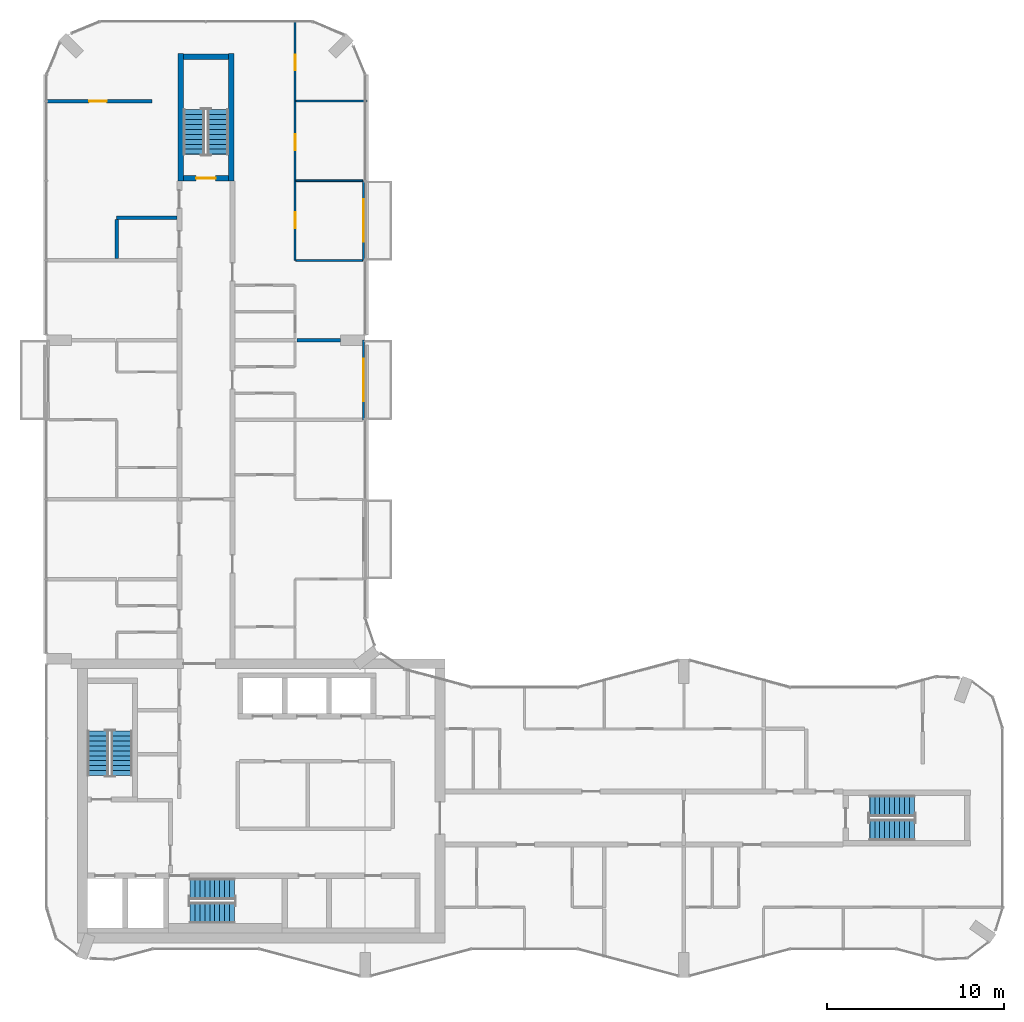
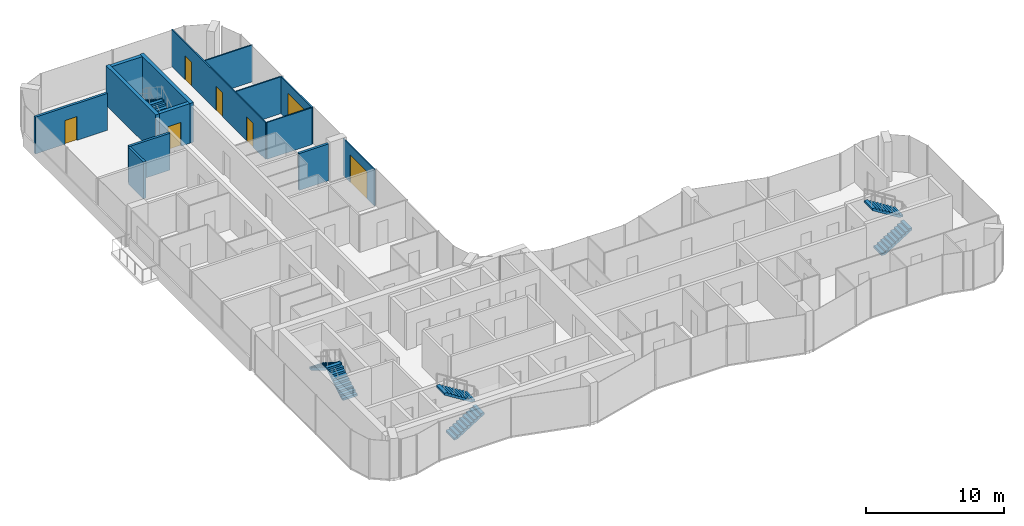
# One storey, part 13 of 15: 14 walls, 8 stair flights, 7 doors, 7 openings, 4 elements without a shape of their own.
"""IFC4 building model written with IfcOpenShell, lengths in metres."""

from ifc_helpers import new_model, si_unit, direction, frame, frame_2d, origin, place, context, subcontext, project, spatial, polyline, rectangle, outline, extrude, material, layer, layer_set, type_object, element, fill, aggregate, save


model = new_model("IFC4")

# Units and contexts
model_context = context("Model", 3, precision=1e-05, world=origin(), true_north=direction((0.0, 1.0)))
body_context = subcontext(model_context, "Body", "Model", "MODEL_VIEW")
ifc_project = project(units=[si_unit("LENGTHUNIT", "METRE"), si_unit("AREAUNIT", "SQUARE_METRE"), si_unit("VOLUMEUNIT", "CUBIC_METRE"), si_unit("PLANEANGLEUNIT", "RADIAN"), si_unit("MASSUNIT", "GRAM", prefix="KILO")], contexts=[model_context])

# Site, building, storey
site_placement = place(None, origin())
site = spatial("IfcSite", under=ifc_project, at=site_placement, CompositionType="ELEMENT")
building_placement = place(site_placement, origin())
building = spatial("IfcBuilding", under=site, at=building_placement, Name="Plateau Cross Towers", CompositionType="ELEMENT")
storey_placement = place(building_placement, frame((0.0, 0.0, 201.39990234375)))
storey = spatial("IfcBuildingStorey", under=building, at=storey_placement, Name="L52", CompositionType="ELEMENT", Elevation=201.39990234375)

# Wall, opening, door
ifc_material_1 = material(Name="Aluminium framed glazing", Category="aluminium")
ifc_layer_1 = layer(ifc_material_1, 0.10009765625)
ifc_layer_set_1 = layer_set([ifc_layer_1], Name="Aluminium framed glazing")
wall_type_1 = type_object("IfcWallType", Name="Balcony screen wall 100", PredefinedType="STANDARD", material=ifc_layer_set_1)
wall_1_placement = place(storey_placement, frame((17.89990234375, 36.0, 0.0), z_axis=(0.0, 0.0, 1.0), x_axis=(0.0, -1.0, 0.0)))
wall_1 = element("IfcWall", 1, at=wall_1_placement, inside=storey, type_object=wall_type_1, Name="Balcony screen wall A-BAL-L52-03", PredefinedType="STANDARD", context=body_context, shape_type="SweptSolid", body=[
    extrude(rectangle(XDim=4.5, YDim=0.10009765625, at=frame_2d((2.25, 0.0))), origin(), (0.0, 0.0, 1.0), 3.25),
])
opening_1_placement = place(wall_1_placement, frame((1.050048828125, 0.0, 0.0)))
opening_1 = element("IfcOpeningElement", 2, at=opening_1_placement, cuts=wall_1, Name="Opening D-B24", PredefinedType="OPENING", context=body_context, shape_type="SweptSolid", body=[
    extrude(rectangle(XDim=2.39990234375, YDim=2.39990234375, at=frame_2d((1.199951171875, 1.199951171875))), frame((0.0, 0.06005859375, 0.0), z_axis=(0.0, -1.0, 0.0), x_axis=(1.0, 0.0, 0.0)), (0.0, 0.0, 1.0), 0.1201171875),
])
ifc_material_2 = material(Name="Aluminium frame, double glazing", Category="aluminium")
door_type_1 = type_object("IfcDoorType", Name="Balcony sliding door 2400", OperationType="NOTDEFINED", PredefinedType="DOOR", material=ifc_material_2)
door_1_placement = place(opening_1_placement, origin())
door_1 = element("IfcDoor", 3, at=door_1_placement, inside=storey, type_object=door_type_1, Name="Balcony door A-BAL-L52-03", OperationType="SINGLE_SWING_LEFT", OverallHeight=2.39990234375, OverallWidth=2.39990234375, PredefinedType="DOOR", context=body_context, shape_type="SweptSolid", body=[
    extrude(rectangle(XDim=2.39990234375, YDim=2.39990234375, at=frame_2d((1.199951171875, 1.199951171875))), frame((0.0, 0.02490234375, 0.0), z_axis=(0.0, -1.0, 0.0), x_axis=(1.0, 0.0, 0.0)), (0.0, 0.0, 1.0), 0.050048828125),
])
fill(opening_1, door_1)

wall_2_placement = place(storey_placement, frame((17.89990234375, 45.0, 0.0), z_axis=(0.0, 0.0, 1.0), x_axis=(0.0, -1.0, 0.0)))
wall_2 = element("IfcWall", 4, at=wall_2_placement, inside=storey, type_object=wall_type_1, Name="Balcony screen wall A-BAL-L52-04", PredefinedType="STANDARD", context=body_context, shape_type="SweptSolid", body=[
    extrude(rectangle(XDim=4.5, YDim=0.10009765625, at=frame_2d((2.25, 0.0))), origin(), (0.0, 0.0, 1.0), 3.25),
])
opening_2_placement = place(wall_2_placement, frame((1.050048828125, 0.0, 0.0)))
opening_2 = element("IfcOpeningElement", 5, at=opening_2_placement, cuts=wall_2, Name="Opening D-B24", PredefinedType="OPENING", context=body_context, shape_type="SweptSolid", body=[
    extrude(rectangle(XDim=2.39990234375, YDim=2.39990234375, at=frame_2d((1.199951171875, 1.199951171875))), frame((0.0, 0.06005859375, 0.0), z_axis=(0.0, -1.0, 0.0), x_axis=(1.0, 0.0, 0.0)), (0.0, 0.0, 1.0), 0.1201171875),
])
door_2_placement = place(opening_2_placement, origin())
door_2 = element("IfcDoor", 6, at=door_2_placement, inside=storey, type_object=door_type_1, Name="Balcony door A-BAL-L52-04", OperationType="SINGLE_SWING_LEFT", OverallHeight=2.39990234375, OverallWidth=2.39990234375, PredefinedType="DOOR", context=body_context, shape_type="SweptSolid", body=[
    extrude(rectangle(XDim=2.39990234375, YDim=2.39990234375, at=frame_2d((1.199951171875, 1.199951171875))), frame((0.0, 0.02490234375, 0.0), z_axis=(0.0, -1.0, 0.0), x_axis=(1.0, 0.0, 0.0)), (0.0, 0.0, 1.0), 0.050048828125),
])
fill(opening_2, door_2)

# Walls
ifc_material_3 = material(Name="Gypsum board on steel studs", Category="steel")
ifc_layer_2 = layer(ifc_material_3, 0.10009765625)
ifc_layer_set_2 = layer_set([ifc_layer_2], Name="Gypsum board on steel studs")
wall_type_2 = type_object("IfcWallType", Name="Flat partition 100", PredefinedType="PARTITIONING", material=ifc_layer_set_2)
for number, where, z_axis, x_axis, name in (
    (7, (14.08740234375, 40.5, 0.0), (0.0, 0.0, 1.0), (1.0, 0.0, 0.0), "Partition wall"),
    (8, (17.85009765625, 45.0, 0.0), (0.0, 0.0, 1.0), (-1.0, 0.0, 0.0), "Partition wall"),
):
    element("IfcWall", number, at=place(storey_placement, frame(where, z_axis=z_axis, x_axis=x_axis)), inside=storey, type_object=wall_type_2, Name=name, PredefinedType="PARTITIONING", context=body_context, shape_type="SweptSolid", body=[
        extrude(rectangle(XDim=3.7626953125, YDim=0.10009765625, at=frame_2d((1.88134765625, 0.0))), origin(), (0.0, 0.0, 1.0), 3.25),
    ])
wall_3_placement = place(storey_placement, frame((18.080078125, 49.5, 0.0), z_axis=(0.0, 0.0, 1.0), x_axis=(-1.0, 0.0, 0.0)))
element("IfcWall", 9, at=wall_3_placement, inside=storey, type_object=wall_type_2, Name="Partition wall", PredefinedType="PARTITIONING", context=body_context, shape_type="SweptSolid", body=[
    extrude(rectangle(XDim=3.99267578125, YDim=0.10009765625, at=frame_2d((1.996337890625, 0.0))), origin(), (0.0, 0.0, 1.0), 3.25),
])

# Wall, openings, doors
wall_4_placement = place(storey_placement, frame((14.03759765625, 54.080078125, 0.0), z_axis=(0.0, 0.0, 1.0), x_axis=(0.0, -1.0, 0.0)))
wall_4 = element("IfcWall", 10, at=wall_4_placement, inside=storey, type_object=wall_type_2, Name="Partition wall", PredefinedType="PARTITIONING", context=body_context, shape_type="SweptSolid", body=[
    extrude(rectangle(XDim=13.580078125, YDim=0.10009765625, at=frame_2d((6.7900390625, 0.0))), origin(), (0.0, 0.0, 1.0), 3.25),
])
opening_3_placement = place(wall_4_placement, frame((10.85009765625, 0.0, 0.0)))
opening_3 = element("IfcOpeningElement", 11, at=opening_3_placement, cuts=wall_4, Name="Opening 52-46", PredefinedType="OPENING", context=body_context, shape_type="SweptSolid", body=[
    extrude(rectangle(XDim=0.89990234375, YDim=2.10009765625, at=frame_2d((0.449951171875, 1.050048828125))), frame((0.0, 0.06005859375, 0.0), z_axis=(0.0, -1.0, 0.0), x_axis=(1.0, 0.0, 0.0)), (0.0, 0.0, 1.0), 0.1201171875),
])
opening_4_placement = place(wall_4_placement, frame((6.449951171875, 0.0, 0.0)))
opening_4 = element("IfcOpeningElement", 12, at=opening_4_placement, cuts=wall_4, Name="Opening 52-47", PredefinedType="OPENING", context=body_context, shape_type="SweptSolid", body=[
    extrude(rectangle(XDim=0.89990234375, YDim=2.10009765625, at=frame_2d((0.449951171875, 1.050048828125))), frame((0.0, 0.06005859375, 0.0), z_axis=(0.0, -1.0, 0.0), x_axis=(1.0, 0.0, 0.0)), (0.0, 0.0, 1.0), 0.1201171875),
])
opening_5_placement = place(wall_4_placement, frame((1.949951171875, 0.0, 0.0)))
opening_5 = element("IfcOpeningElement", 13, at=opening_5_placement, cuts=wall_4, Name="Opening 52-48", PredefinedType="OPENING", context=body_context, shape_type="SweptSolid", body=[
    extrude(rectangle(XDim=0.89990234375, YDim=2.10009765625, at=frame_2d((0.449951171875, 1.050048828125))), frame((0.0, 0.06005859375, 0.0), z_axis=(0.0, -1.0, 0.0), x_axis=(1.0, 0.0, 0.0)), (0.0, 0.0, 1.0), 0.1201171875),
])
ifc_material_4 = material(Name="Timber leaf", Category="wood")
door_type_2 = type_object("IfcDoorType", Name="Flat room door 900", OperationType="NOTDEFINED", PredefinedType="DOOR", material=ifc_material_4)
door_3_placement = place(opening_3_placement, origin())
door_3 = element("IfcDoor", 14, at=door_3_placement, inside=storey, type_object=door_type_2, Name="Door 52-46", OperationType="SINGLE_SWING_RIGHT", OverallHeight=2.10009765625, OverallWidth=0.89990234375, PredefinedType="DOOR", context=body_context, shape_type="SweptSolid", body=[
    extrude(rectangle(XDim=0.89990234375, YDim=2.10009765625, at=frame_2d((0.449951171875, 1.050048828125))), frame((0.0, 0.02490234375, 0.0), z_axis=(0.0, -1.0, 0.0), x_axis=(1.0, 0.0, 0.0)), (0.0, 0.0, 1.0), 0.050048828125),
])
fill(opening_3, door_3)
door_4_placement = place(opening_4_placement, origin())
door_4 = element("IfcDoor", 15, at=door_4_placement, inside=storey, type_object=door_type_2, Name="Door 52-47", OperationType="SINGLE_SWING_RIGHT", OverallHeight=2.10009765625, OverallWidth=0.89990234375, PredefinedType="DOOR", context=body_context, shape_type="SweptSolid", body=[
    extrude(rectangle(XDim=0.89990234375, YDim=2.10009765625, at=frame_2d((0.449951171875, 1.050048828125))), frame((0.0, 0.02490234375, 0.0), z_axis=(0.0, -1.0, 0.0), x_axis=(1.0, 0.0, 0.0)), (0.0, 0.0, 1.0), 0.050048828125),
])
fill(opening_4, door_4)
door_5_placement = place(opening_5_placement, origin())
door_5 = element("IfcDoor", 16, at=door_5_placement, inside=storey, type_object=door_type_2, Name="Door 52-48", OperationType="SINGLE_SWING_LEFT", OverallHeight=2.10009765625, OverallWidth=0.89990234375, PredefinedType="DOOR", context=body_context, shape_type="SweptSolid", body=[
    extrude(rectangle(XDim=0.89990234375, YDim=2.10009765625, at=frame_2d((0.449951171875, 1.050048828125))), frame((0.0, 0.02490234375, 0.0), z_axis=(0.0, -1.0, 0.0), x_axis=(1.0, 0.0, 0.0)), (0.0, 0.0, 1.0), 0.050048828125),
])
fill(opening_5, door_5)

# Walls
ifc_material_5 = material(Name="Gypsum board on steel studs, two layers each side", Category="steel")
ifc_layer_3 = layer(ifc_material_5, 0.199951171875)
ifc_layer_set_3 = layer_set([ifc_layer_3], Name="Gypsum board on steel studs, two layers each side")
wall_type_3 = type_object("IfcWallType", Name="Flat party wall 200", PredefinedType="PARTITIONING", material=ifc_layer_set_3)
wall_5_placement = place(storey_placement, frame((14.137451171875, 36.0, 0.0), z_axis=(0.0, 0.0, 1.0), x_axis=(1.0, 0.0, 0.0)))
element("IfcWall", 17, at=wall_5_placement, inside=storey, type_object=wall_type_3, Name="Party wall", PredefinedType="PARTITIONING", context=body_context, shape_type="SweptSolid", body=[
    extrude(rectangle(XDim=2.462646484375, YDim=0.199951171875, at=frame_2d((1.2314453125, 0.0))), origin(), (0.0, 0.0, 1.0), 3.25),
])
wall_6_placement = place(storey_placement, frame((7.362548828125, 42.89990234375, 0.0), z_axis=(0.0, 0.0, 1.0), x_axis=(-1.0, 0.0, 0.0)))
element("IfcWall", 18, at=wall_6_placement, inside=storey, type_object=wall_type_3, Name="Party wall", PredefinedType="PARTITIONING", context=body_context, shape_type="SweptSolid", body=[
    extrude(rectangle(XDim=3.400146484375, YDim=0.199951171875, at=frame_2d((1.7001953125, 0.0))), origin(), (0.0, 0.0, 1.0), 3.25),
])

# Wall, opening, door
wall_7_placement = place(storey_placement, frame((5.949951171875, 49.5, 0.0), z_axis=(0.0, 0.0, 1.0), x_axis=(-1.0, 0.0, 0.0)))
wall_7 = element("IfcWall", 19, at=wall_7_placement, inside=storey, type_object=wall_type_3, Name="Party wall", PredefinedType="PARTITIONING", context=body_context, shape_type="SweptSolid", body=[
    extrude(rectangle(XDim=6.030029296875, YDim=0.199951171875, at=frame_2d((3.01513671875, 0.0))), origin(), (0.0, 0.0, 1.0), 3.25),
])
opening_6_placement = place(wall_7_placement, frame((2.550048828125, 0.0, 0.0)))
opening_6 = element("IfcOpeningElement", 20, at=opening_6_placement, cuts=wall_7, Name="Opening 52-19", PredefinedType="OPENING", context=body_context, shape_type="SweptSolid", body=[
    extrude(rectangle(XDim=1.0, YDim=2.10009765625, at=frame_2d((0.5, 1.050048828125))), frame((0.0, 0.10986328125, 0.0), z_axis=(0.0, -1.0, 0.0), x_axis=(1.0, 0.0, 0.0)), (0.0, 0.0, 1.0), 0.219970703125),
])
ifc_material_6 = material(Name="Timber, fire-resisting leaf", Category="wood")
door_type_3 = type_object("IfcDoorType", Name="Flat entrance door 1000", OperationType="NOTDEFINED", PredefinedType="DOOR", material=ifc_material_6)
door_6_placement = place(opening_6_placement, origin())
door_6 = element("IfcDoor", 21, at=door_6_placement, inside=storey, type_object=door_type_3, Name="Door 52-19", OperationType="SINGLE_SWING_RIGHT", OverallHeight=2.10009765625, OverallWidth=1.0, PredefinedType="DOOR", context=body_context, shape_type="SweptSolid", body=[
    extrude(rectangle(XDim=1.0, YDim=2.10009765625, at=frame_2d((0.5, 1.050048828125))), frame((0.0, 0.02490234375, 0.0), z_axis=(0.0, -1.0, 0.0), x_axis=(1.0, 0.0, 0.0)), (0.0, 0.0, 1.0), 0.050048828125),
])
fill(opening_6, door_6)

# Wall
wall_8_placement = place(storey_placement, frame((3.96240234375, 42.800048828125, 0.0), z_axis=(0.0, 0.0, 1.0), x_axis=(0.0, -1.0, 0.0)))
element("IfcWall", 22, at=wall_8_placement, inside=storey, type_object=wall_type_3, Name="Party wall", PredefinedType="PARTITIONING", context=body_context, shape_type="SweptSolid", body=[
    extrude(rectangle(XDim=2.199951171875, YDim=0.199951171875, at=frame_2d((1.10009765625, 0.0))), origin(), (0.0, 0.0, 1.0), 3.25),
])

# Wall, opening, door
ifc_material_7 = material(Name="Concrete C60/75", Category="concrete")
ifc_layer_4 = layer(ifc_material_7, 0.300048828125)
ifc_layer_set_4 = layer_set([ifc_layer_4], Name="Concrete C60/75")
wall_type_4 = type_object("IfcWallType", Name="Stair tower wall 300", PredefinedType="SHEAR", material=ifc_layer_set_4)
wall_9_placement = place(storey_placement, frame((7.72509765625, 45.14990234375, 0.0), z_axis=(0.0, 0.0, 1.0), x_axis=(1.0, 0.0, 0.0)))
wall_9 = element("IfcWall", 23, at=wall_9_placement, inside=storey, type_object=wall_type_4, Name="A-end-N-S@L52", PredefinedType="SHEAR", context=body_context, shape_type="SweptSolid", body=[
    extrude(rectangle(XDim=2.5498046875, YDim=0.300048828125, at=frame_2d((1.27490234375, 0.0))), origin(), (0.0, 0.0, 1.0), 3.5),
])
opening_7_placement = place(wall_9_placement, frame((0.72509765625, 0.0, 0.0)))
opening_7 = element("IfcOpeningElement", 24, at=opening_7_placement, cuts=wall_9, Name="Opening SD", PredefinedType="OPENING", context=body_context, shape_type="SweptSolid", body=[
    extrude(rectangle(XDim=1.10009765625, YDim=2.10009765625, at=frame_2d((0.550048828125, 1.050048828125))), frame((0.0, 0.159912109375, 0.0), z_axis=(0.0, -1.0, 0.0), x_axis=(1.0, 0.0, 0.0)), (0.0, 0.0, 1.0), 0.320068359375),
])
ifc_material_8 = material(Name="Steel, fire-resisting leaf", Category="steel")
door_type_4 = type_object("IfcDoorType", Name="Stair door 1100", OperationType="NOTDEFINED", PredefinedType="DOOR", material=ifc_material_8)
door_7_placement = place(opening_7_placement, origin())
door_7 = element("IfcDoor", 25, at=door_7_placement, inside=storey, type_object=door_type_4, Name="Stair door SD", OperationType="SINGLE_SWING_LEFT", OverallHeight=2.10009765625, OverallWidth=1.10009765625, PredefinedType="DOOR", context=body_context, shape_type="SweptSolid", body=[
    extrude(rectangle(XDim=1.10009765625, YDim=2.10009765625, at=frame_2d((0.550048828125, 1.050048828125))), frame((0.0, 0.02490234375, 0.0), z_axis=(0.0, -1.0, 0.0), x_axis=(1.0, 0.0, 0.0)), (0.0, 0.0, 1.0), 0.050048828125),
])
fill(opening_7, door_7)

# Walls
wall_10_placement = place(storey_placement, frame((7.72509765625, 52.0, 0.0), z_axis=(0.0, 0.0, 1.0), x_axis=(1.0, 0.0, 0.0)))
element("IfcWall", 26, at=wall_10_placement, inside=storey, type_object=wall_type_4, Name="A-end-N-N@L52", PredefinedType="SHEAR", context=body_context, shape_type="SweptSolid", body=[
    extrude(rectangle(XDim=2.5498046875, YDim=0.300048828125, at=frame_2d((1.27490234375, 0.0))), origin(), (0.0, 0.0, 1.0), 3.5),
])
for number, where, z_axis, x_axis, name in (
    (27, (7.574951171875, 45.0, 0.0), (0.0, 0.0, 1.0), (0.0, 1.0, 0.0), "A-end-N-W@L52"),
    (28, (10.425048828125, 45.0, 0.0), (0.0, 0.0, 1.0), (0.0, 1.0, 0.0), "A-end-N-E@L52"),
):
    element("IfcWall", number, at=place(storey_placement, frame(where, z_axis=z_axis, x_axis=x_axis)), inside=storey, type_object=wall_type_4, Name=name, PredefinedType="SHEAR", context=body_context, shape_type="SweptSolid", body=[
        extrude(rectangle(XDim=7.199951171875, YDim=0.300048828125, at=frame_2d((3.60009765625, 0.0))), origin(), (0.0, 0.0, 1.0), 3.5),
    ])

# Stair, stair flights
ifc_material_9 = material(Name="Concrete C40/50", Category="concrete")
stair_type = type_object("IfcStairType", Name="ST-TWR", PredefinedType="HALF_TURN_STAIR", material=ifc_material_9)
stair_1_placement = place(storey_placement, origin())
stair_1 = element("IfcStair", 29, at=stair_1_placement, inside=storey, type_object=stair_type, Name="L52 Protected Exit Stair ST-1", PredefinedType="HALF_TURN_STAIR")
stair_flight_type = type_object("IfcStairFlightType", Name="SFL-RC", PredefinedType="STRAIGHT", material=ifc_material_9)
stair_flight_1_placement = place(storey_placement, frame((4.25, 11.39990234375, 0.0), z_axis=(0.0, 0.0, 1.0), x_axis=(0.0, 1.0, 0.0)))
stair_flight_1 = element("IfcStairFlight", 30, at=stair_flight_1_placement, type_object=stair_flight_type, Name="ST-1 flight 1", NumberOfRisers=10, NumberOfTreads=9, PredefinedType="STRAIGHT", RiserHeight=0.175, TreadLength=0.28, context=body_context, shape_type="SweptSolid", body=[
    extrude(outline(polyline([(-0.0048828125, -0.010009765625), (-0.0048828125, 0.0), (0.0, 0.0), (0.0, 0.175048828125), (0.280029296875, 0.175048828125), (0.280029296875, 0.35009765625), (0.56005859375, 0.35009765625), (0.56005859375, 0.52490234375), (0.840087890625, 0.52490234375), (0.840087890625, 0.699951171875), (1.1201171875, 0.699951171875), (1.1201171875, 0.875), (1.39990234375, 0.875), (1.39990234375, 1.050048828125), (1.679931640625, 1.050048828125), (1.679931640625, 1.22509765625), (1.9599609375, 1.22509765625), (1.9599609375, 1.39990234375), (2.239990234375, 1.39990234375), (2.239990234375, 1.574951171875), (2.52001953125, 1.574951171875), (2.52490234375, 1.56494140625), (2.52490234375, 1.398193359375), (2.52001953125, 1.398193359375), (0.28271484375, 0.0), (0.02001953125, 0.0), (0.02001953125, -0.010009765625), (-0.0048828125, -0.010009765625)])), frame((0.0, 0.60009765625, 0.0), z_axis=(0.0, -1.0, 0.0), x_axis=(1.0, 0.0, 0.0)), (0.0, 0.0, 1.0), 1.199951171875),
])
stair_flight_2_placement = place(storey_placement, frame((2.89990234375, 13.919921875, 1.75), z_axis=(0.0, 0.0, 1.0), x_axis=(0.0, -1.0, 0.0)))
stair_flight_2 = element("IfcStairFlight", 31, at=stair_flight_2_placement, type_object=stair_flight_type, Name="ST-1 flight 2", NumberOfRisers=10, NumberOfTreads=9, PredefinedType="STRAIGHT", RiserHeight=0.175, TreadLength=0.28, context=body_context, shape_type="SweptSolid", body=[
    extrude(outline(polyline([(-0.0048828125, -0.010009765625), (-0.0048828125, 0.0), (0.0, 0.0), (0.0, 0.175048828125), (0.280029296875, 0.175048828125), (0.280029296875, 0.35009765625), (0.56005859375, 0.35009765625), (0.56005859375, 0.52490234375), (0.840087890625, 0.52490234375), (0.840087890625, 0.699951171875), (1.1201171875, 0.699951171875), (1.1201171875, 0.875), (1.39990234375, 0.875), (1.39990234375, 1.050048828125), (1.679931640625, 1.050048828125), (1.679931640625, 1.22509765625), (1.9599609375, 1.22509765625), (1.9599609375, 1.39990234375), (2.239990234375, 1.39990234375), (2.239990234375, 1.574951171875), (2.52001953125, 1.574951171875), (2.52490234375, 1.56494140625), (2.52490234375, 1.398193359375), (2.52001953125, 1.398193359375), (0.28271484375, 0.0), (0.02001953125, 0.0), (0.02001953125, -0.010009765625), (-0.0048828125, -0.010009765625)])), frame((0.0, 0.60009765625, 0.0), z_axis=(0.0, -1.0, 0.0), x_axis=(1.0, 0.0, 0.0)), (0.0, 0.0, 1.0), 1.199951171875),
])
aggregate(stair_1, [stair_flight_1, stair_flight_2])

stair_2_placement = place(storey_placement, origin())
stair_2 = element("IfcStair", 32, at=stair_2_placement, inside=storey, type_object=stair_type, Name="L52 Protected Exit Stair ST-2", PredefinedType="HALF_TURN_STAIR")
stair_flight_3_placement = place(storey_placement, frame((8.10009765625, 3.64990234375, 0.0), z_axis=(0.0, 0.0, 1.0), x_axis=(1.0, 0.0, 0.0)))
stair_flight_3 = element("IfcStairFlight", 33, at=stair_flight_3_placement, type_object=stair_flight_type, Name="ST-2 flight 1", NumberOfRisers=10, NumberOfTreads=9, PredefinedType="STRAIGHT", RiserHeight=0.175, TreadLength=0.28, context=body_context, shape_type="SweptSolid", body=[
    extrude(outline(polyline([(-0.0048828125, -0.010009765625), (-0.0048828125, 0.0), (0.0, 0.0), (0.0, 0.175048828125), (0.280029296875, 0.175048828125), (0.280029296875, 0.35009765625), (0.56005859375, 0.35009765625), (0.56005859375, 0.52490234375), (0.840087890625, 0.52490234375), (0.840087890625, 0.699951171875), (1.1201171875, 0.699951171875), (1.1201171875, 0.875), (1.39990234375, 0.875), (1.39990234375, 1.050048828125), (1.679931640625, 1.050048828125), (1.679931640625, 1.22509765625), (1.9599609375, 1.22509765625), (1.9599609375, 1.39990234375), (2.239990234375, 1.39990234375), (2.239990234375, 1.574951171875), (2.52001953125, 1.574951171875), (2.52490234375, 1.56494140625), (2.52490234375, 1.398193359375), (2.52001953125, 1.398193359375), (0.28271484375, 0.0), (0.02001953125, 0.0), (0.02001953125, -0.010009765625), (-0.0048828125, -0.010009765625)])), frame((0.0, 0.60009765625, 0.0), z_axis=(0.0, -1.0, 0.0), x_axis=(1.0, 0.0, 0.0)), (0.0, 0.0, 1.0), 1.199951171875),
])
stair_flight_4_placement = place(storey_placement, frame((10.6201171875, 5.0, 1.75), z_axis=(0.0, 0.0, 1.0), x_axis=(-1.0, 0.0, 0.0)))
stair_flight_4 = element("IfcStairFlight", 34, at=stair_flight_4_placement, type_object=stair_flight_type, Name="ST-2 flight 2", NumberOfRisers=10, NumberOfTreads=9, PredefinedType="STRAIGHT", RiserHeight=0.175, TreadLength=0.28, context=body_context, shape_type="SweptSolid", body=[
    extrude(outline(polyline([(-0.0048828125, -0.010009765625), (-0.0048828125, 0.0), (0.0, 0.0), (0.0, 0.175048828125), (0.280029296875, 0.175048828125), (0.280029296875, 0.35009765625), (0.56005859375, 0.35009765625), (0.56005859375, 0.52490234375), (0.840087890625, 0.52490234375), (0.840087890625, 0.699951171875), (1.1201171875, 0.699951171875), (1.1201171875, 0.875), (1.39990234375, 0.875), (1.39990234375, 1.050048828125), (1.679931640625, 1.050048828125), (1.679931640625, 1.22509765625), (1.9599609375, 1.22509765625), (1.9599609375, 1.39990234375), (2.239990234375, 1.39990234375), (2.239990234375, 1.574951171875), (2.52001953125, 1.574951171875), (2.52490234375, 1.56494140625), (2.52490234375, 1.398193359375), (2.52001953125, 1.398193359375), (0.28271484375, 0.0), (0.02001953125, 0.0), (0.02001953125, -0.010009765625), (-0.0048828125, -0.010009765625)])), frame((0.0, 0.60009765625, 0.0), z_axis=(0.0, -1.0, 0.0), x_axis=(1.0, 0.0, 0.0)), (0.0, 0.0, 1.0), 1.199951171875),
])
aggregate(stair_2, [stair_flight_3, stair_flight_4])

stair_3_placement = place(storey_placement, origin())
stair_3 = element("IfcStair", 35, at=stair_3_placement, inside=storey, type_object=stair_type, Name="L52 Protected Exit Stair E", PredefinedType="HALF_TURN_STAIR")
stair_flight_5_placement = place(storey_placement, frame((46.5, 8.324951171875, 0.0), z_axis=(0.0, 0.0, 1.0), x_axis=(1.0, 0.0, 0.0)))
stair_flight_5 = element("IfcStairFlight", 36, at=stair_flight_5_placement, type_object=stair_flight_type, Name="ES-E flight 1", NumberOfRisers=10, NumberOfTreads=9, PredefinedType="STRAIGHT", RiserHeight=0.175, TreadLength=0.28, context=body_context, shape_type="SweptSolid", body=[
    extrude(outline(polyline([(-0.0048828125, -0.010009765625), (-0.0048828125, 0.0), (0.0, 0.0), (0.0, 0.175048828125), (0.280029296875, 0.175048828125), (0.280029296875, 0.35009765625), (0.56005859375, 0.35009765625), (0.56005859375, 0.52490234375), (0.840087890625, 0.52490234375), (0.840087890625, 0.699951171875), (1.1201171875, 0.699951171875), (1.1201171875, 0.875), (1.39990234375, 0.875), (1.39990234375, 1.050048828125), (1.679931640625, 1.050048828125), (1.679931640625, 1.22509765625), (1.9599609375, 1.22509765625), (1.9599609375, 1.39990234375), (2.239990234375, 1.39990234375), (2.239990234375, 1.574951171875), (2.52001953125, 1.574951171875), (2.52490234375, 1.56494140625), (2.52490234375, 1.398193359375), (2.52001953125, 1.398193359375), (0.28271484375, 0.0), (0.02001953125, 0.0), (0.02001953125, -0.010009765625), (-0.0048828125, -0.010009765625)])), frame((0.0, 0.60009765625, 0.0), z_axis=(0.0, -1.0, 0.0), x_axis=(1.0, 0.0, 0.0)), (0.0, 0.0, 1.0), 1.199951171875),
])
stair_flight_6_placement = place(storey_placement, frame((49.02001953125, 9.675048828125, 1.75), z_axis=(0.0, 0.0, 1.0), x_axis=(-1.0, 0.0, 0.0)))
stair_flight_6 = element("IfcStairFlight", 37, at=stair_flight_6_placement, type_object=stair_flight_type, Name="ES-E flight 2", NumberOfRisers=10, NumberOfTreads=9, PredefinedType="STRAIGHT", RiserHeight=0.175, TreadLength=0.28, context=body_context, shape_type="SweptSolid", body=[
    extrude(outline(polyline([(-0.0048828125, -0.010009765625), (-0.0048828125, 0.0), (0.0, 0.0), (0.0, 0.175048828125), (0.280029296875, 0.175048828125), (0.280029296875, 0.35009765625), (0.56005859375, 0.35009765625), (0.56005859375, 0.52490234375), (0.840087890625, 0.52490234375), (0.840087890625, 0.699951171875), (1.1201171875, 0.699951171875), (1.1201171875, 0.875), (1.39990234375, 0.875), (1.39990234375, 1.050048828125), (1.679931640625, 1.050048828125), (1.679931640625, 1.22509765625), (1.9599609375, 1.22509765625), (1.9599609375, 1.39990234375), (2.239990234375, 1.39990234375), (2.239990234375, 1.574951171875), (2.52001953125, 1.574951171875), (2.52490234375, 1.56494140625), (2.52490234375, 1.398193359375), (2.52001953125, 1.398193359375), (0.28271484375, 0.0), (0.02001953125, 0.0), (0.02001953125, -0.010009765625), (-0.0048828125, -0.010009765625)])), frame((0.0, 0.60009765625, 0.0), z_axis=(0.0, -1.0, 0.0), x_axis=(1.0, 0.0, 0.0)), (0.0, 0.0, 1.0), 1.199951171875),
])
aggregate(stair_3, [stair_flight_5, stair_flight_6])

stair_4_placement = place(storey_placement, origin())
stair_4 = element("IfcStair", 38, at=stair_4_placement, inside=storey, type_object=stair_type, Name="L52 Protected Exit Stair N", PredefinedType="HALF_TURN_STAIR")
stair_flight_7_placement = place(storey_placement, frame((9.675048828125, 46.5, 0.0), z_axis=(0.0, 0.0, 1.0), x_axis=(0.0, 1.0, 0.0)))
stair_flight_7 = element("IfcStairFlight", 39, at=stair_flight_7_placement, type_object=stair_flight_type, Name="ES-N flight 1", NumberOfRisers=10, NumberOfTreads=9, PredefinedType="STRAIGHT", RiserHeight=0.175, TreadLength=0.28, context=body_context, shape_type="SweptSolid", body=[
    extrude(outline(polyline([(-0.0048828125, -0.010009765625), (-0.0048828125, 0.0), (0.0, 0.0), (0.0, 0.175048828125), (0.280029296875, 0.175048828125), (0.280029296875, 0.35009765625), (0.56005859375, 0.35009765625), (0.56005859375, 0.52490234375), (0.840087890625, 0.52490234375), (0.840087890625, 0.699951171875), (1.1201171875, 0.699951171875), (1.1201171875, 0.875), (1.39990234375, 0.875), (1.39990234375, 1.050048828125), (1.679931640625, 1.050048828125), (1.679931640625, 1.22509765625), (1.9599609375, 1.22509765625), (1.9599609375, 1.39990234375), (2.239990234375, 1.39990234375), (2.239990234375, 1.574951171875), (2.52001953125, 1.574951171875), (2.52490234375, 1.56494140625), (2.52490234375, 1.398193359375), (2.52001953125, 1.398193359375), (0.28271484375, 0.0), (0.02001953125, 0.0), (0.02001953125, -0.010009765625), (-0.0048828125, -0.010009765625)])), frame((0.0, 0.60009765625, 0.0), z_axis=(0.0, -1.0, 0.0), x_axis=(1.0, 0.0, 0.0)), (0.0, 0.0, 1.0), 1.199951171875),
])
stair_flight_8_placement = place(storey_placement, frame((8.324951171875, 49.02001953125, 1.75), z_axis=(0.0, 0.0, 1.0), x_axis=(0.0, -1.0, 0.0)))
stair_flight_8 = element("IfcStairFlight", 40, at=stair_flight_8_placement, type_object=stair_flight_type, Name="ES-N flight 2", NumberOfRisers=10, NumberOfTreads=9, PredefinedType="STRAIGHT", RiserHeight=0.175, TreadLength=0.28, context=body_context, shape_type="SweptSolid", body=[
    extrude(outline(polyline([(-0.0048828125, -0.010009765625), (-0.0048828125, 0.0), (0.0, 0.0), (0.0, 0.175048828125), (0.280029296875, 0.175048828125), (0.280029296875, 0.35009765625), (0.56005859375, 0.35009765625), (0.56005859375, 0.52490234375), (0.840087890625, 0.52490234375), (0.840087890625, 0.699951171875), (1.1201171875, 0.699951171875), (1.1201171875, 0.875), (1.39990234375, 0.875), (1.39990234375, 1.050048828125), (1.679931640625, 1.050048828125), (1.679931640625, 1.22509765625), (1.9599609375, 1.22509765625), (1.9599609375, 1.39990234375), (2.239990234375, 1.39990234375), (2.239990234375, 1.574951171875), (2.52001953125, 1.574951171875), (2.52490234375, 1.56494140625), (2.52490234375, 1.398193359375), (2.52001953125, 1.398193359375), (0.28271484375, 0.0), (0.02001953125, 0.0), (0.02001953125, -0.010009765625), (-0.0048828125, -0.010009765625)])), frame((0.0, 0.60009765625, 0.0), z_axis=(0.0, -1.0, 0.0), x_axis=(1.0, 0.0, 0.0)), (0.0, 0.0, 1.0), 1.199951171875),
])
aggregate(stair_4, [stair_flight_7, stair_flight_8])

save(model, "model.ifc")
